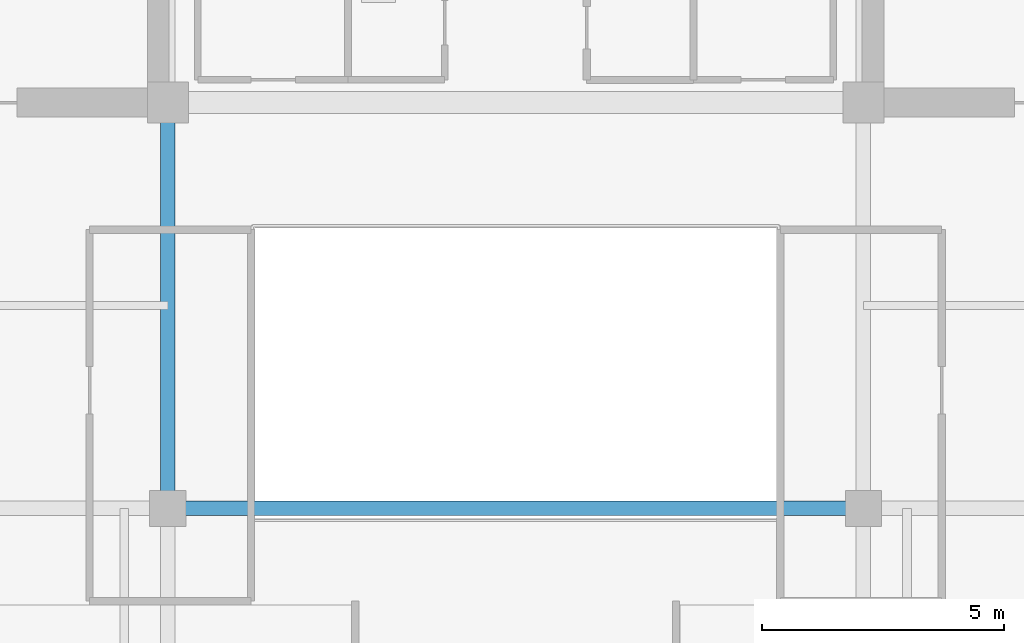
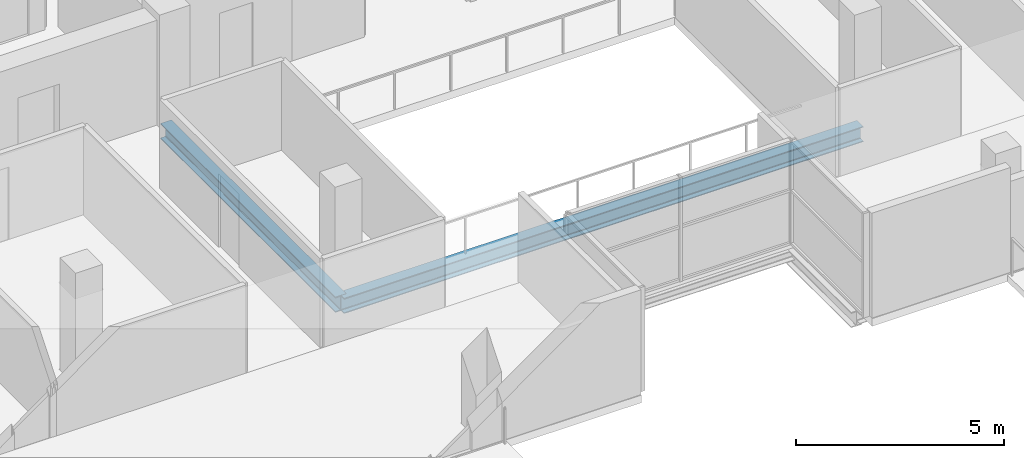
# One storey, part 5 of 24: 2 beams.
"""IFC4 building model written with IfcOpenShell, lengths in metres."""

from ifc_helpers import new_model, si_unit, direction, frame, origin, origin_2d, place, context, subcontext, project, spatial, i_section, extrude, material, material_profile, profile_set, type_object, element, save


model = new_model("IFC4")

# Units and contexts
model_context = context("Model", 3, precision=1e-05, world=origin(), true_north=direction((0.0, 1.0)))
body_context = subcontext(model_context, "Body", "Model", "MODEL_VIEW")
ifc_project = project(units=[si_unit("LENGTHUNIT", "METRE"), si_unit("AREAUNIT", "SQUARE_METRE"), si_unit("VOLUMEUNIT", "CUBIC_METRE"), si_unit("PLANEANGLEUNIT", "RADIAN"), si_unit("MASSUNIT", "GRAM", prefix="KILO")], contexts=[model_context])

# Site, building, storey
site_placement = place(None, origin())
site = spatial("IfcSite", under=ifc_project, at=site_placement, CompositionType="ELEMENT")
building_placement = place(site_placement, origin())
building = spatial("IfcBuilding", under=site, at=building_placement, Name="Zarnakvel Exchange Tower", CompositionType="ELEMENT")
storey_placement = place(building_placement, frame((0.0, 0.0, 208.89990234375)))
storey = spatial("IfcBuildingStorey", under=building, at=storey_placement, Name="L58", CompositionType="ELEMENT", Elevation=208.89990234375)

# Beams
ifc_material = material(Name="Steel S355", Category="steel")
ifc_material_profile = material_profile(ifc_material, i_section(OverallWidth=0.300048828125, OverallDepth=0.449951171875, WebThickness=0.013916015625, FlangeThickness=0.02587890625, FilletRadius=0.027099609375, at=origin_2d()))
ifc_profile_set = profile_set([ifc_material_profile], Name="Steel S355")
beam_type = type_object("IfcBeamType", Name="G-07", PredefinedType="BEAM", material=ifc_profile_set)
beam_1_placement = place(storey_placement, frame((-7.199951171875, -9.60009765625, -0.449951171875), z_axis=(1.0, 0.0, 0.0), x_axis=(0.0, 1.0, 0.0)))
element("IfcBeam", 1, at=beam_1_placement, inside=storey, type_object=beam_type, Name="L58 Tower E-W Frame Beam", PredefinedType="BEAM", context=body_context, shape_type="SweptSolid", body=[
    extrude(i_section(OverallWidth=0.300048828125, OverallDepth=0.449951171875, WebThickness=0.013916015625, FlangeThickness=0.02587890625, FilletRadius=0.027099609375, at=origin_2d()), origin(), (0.0, 0.0, 1.0), 14.39990234375),
])
beam_2_placement = place(storey_placement, frame((-7.199951171875, -9.60009765625, -0.449951171875), z_axis=(0.0, 1.0, 0.0), x_axis=(-1.0, 0.0, 0.0)))
element("IfcBeam", 2, at=beam_2_placement, inside=storey, type_object=beam_type, Name="L58 Tower N-S Frame Beam", PredefinedType="BEAM", context=body_context, shape_type="SweptSolid", body=[
    extrude(i_section(OverallWidth=0.300048828125, OverallDepth=0.449951171875, WebThickness=0.013916015625, FlangeThickness=0.02587890625, FilletRadius=0.027099609375, at=origin_2d()), origin(), (0.0, 0.0, 1.0), 8.400146484375),
])

save(model, "model.ifc")
